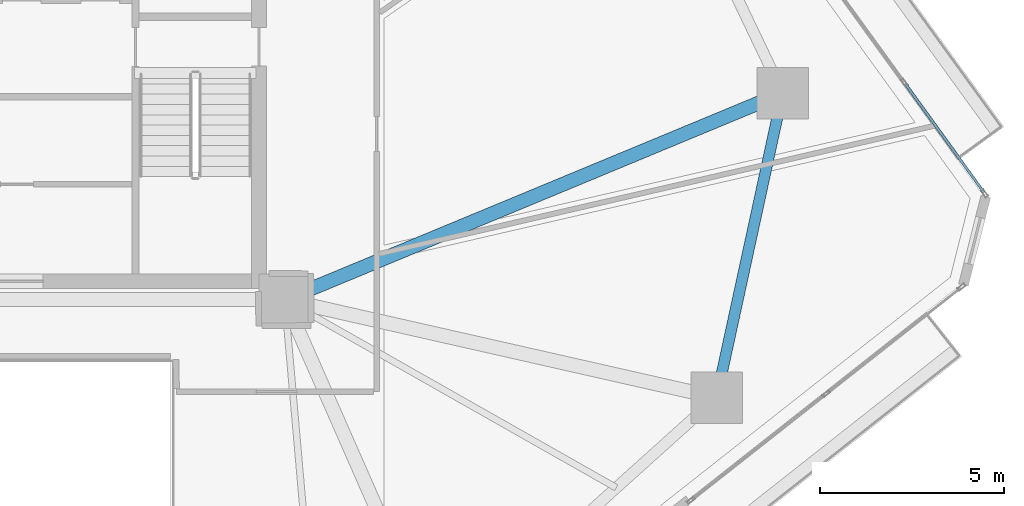
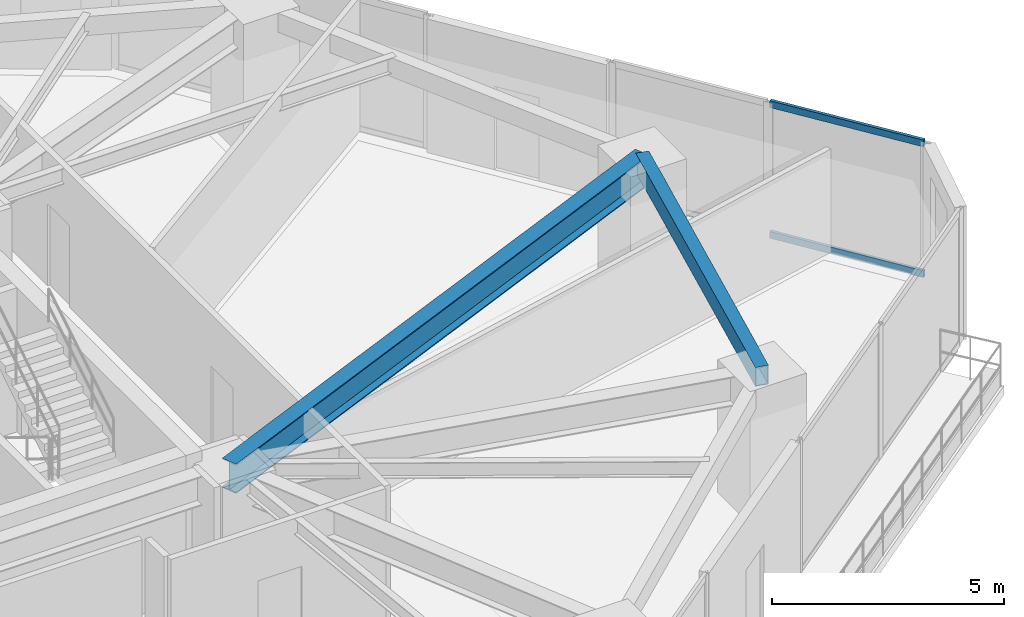
# One storey, part 11 of 24: 2 beams, 2 members, 1 element without a shape of its own.
"""IFC4 building model written with IfcOpenShell, lengths in metres."""

import ifcopenshell
import ifcopenshell.guid

model = None  # the IFC model being written
_history = None  # IfcOwnerHistory: only IFC2X3 demands one
_inside = {}  # id of a spatial element -> (the spatial element, [elements in it])
_under = {}  # id of a project, library or spatial element -> (it, [spatial elements below it])
_declared = {}  # id of a project -> (the project, [libraries it declares])
_typed = {}  # id of a type object -> (the type object, [elements of that type])
_made_of = {}  # id of a material, layer set ... -> (it, [elements and type objects made of it])


def new_model(schema):
    """Start an empty IFC model of exactly this schema.

    Asked for "IFC4X3", IfcOpenShell would pick the latest addendum, in which some entities
    have other attributes; the version numbers below select the first issue.
    IFC2X3 requires an IfcOwnerHistory on every rooted entity: one is made here for all.
    """
    global model, _history
    if schema == "IFC4X3":
        model = ifcopenshell.file(schema_version=(4, 3, 0, 0))
    else:
        model = ifcopenshell.file(schema=schema)
    _inside.clear()
    _under.clear()
    _declared.clear()
    _typed.clear()
    _made_of.clear()
    _history = None
    if model.schema == "IFC2X3":
        org = make("IfcOrganization", Name="unknown")
        user = make(
            "IfcPersonAndOrganization",
            ThePerson=make("IfcPerson", FamilyName="unknown"),
            TheOrganization=org,
        )
        app = make(
            "IfcApplication",
            ApplicationDeveloper=org,
            Version="unknown",
            ApplicationFullName="unknown",
            ApplicationIdentifier="unknown",
        )
        _history = make(
            "IfcOwnerHistory",
            OwningUser=user,
            OwningApplication=app,
            ChangeAction="ADDED",
            CreationDate=0,
        )
    return model


def make(cls, **values):
    """One entity of the class cls with the attributes given. An attribute that is None is left unset."""
    return model.create_entity(
        cls, **{name: value for name, value in values.items() if value is not None}
    )


def rooted(cls, **values):
    """An entity with a GlobalId (a new one), such as an element, a storey or a relation."""
    return make(cls, GlobalId=ifcopenshell.guid.new(), OwnerHistory=_history, **values)


def si_unit(unit_type, name, prefix=None):
    """IfcSIUnit, for example si_unit("LENGTHUNIT", "METRE", prefix="MILLI")."""
    return make("IfcSIUnit", UnitType=unit_type, Prefix=prefix, Name=name)


def assignment(units):
    """IfcUnitAssignment: the units of a project."""
    return None if units is None else make("IfcUnitAssignment", Units=units)


def point(xyz):
    """IfcCartesianPoint."""
    return None if xyz is None else make("IfcCartesianPoint", Coordinates=xyz)


def direction(xyz):
    """IfcDirection."""
    return None if xyz is None else make("IfcDirection", DirectionRatios=xyz)


def frame(location, z_axis=None, x_axis=None):
    """IfcAxis2Placement3D, a coordinate frame: its origin and axes. An axis left out is left unset."""
    return make(
        "IfcAxis2Placement3D",
        Location=point(location),
        Axis=direction(z_axis),
        RefDirection=direction(x_axis),
    )


def frame_2d(location, x_axis=None):
    """IfcAxis2Placement2D, a coordinate frame in the plane: its origin and x axis."""
    return make(
        "IfcAxis2Placement2D", Location=point(location), RefDirection=direction(x_axis)
    )


def origin():
    """The frame at (0, 0, 0) with its axes left unset."""
    return frame((0.0, 0.0, 0.0))


def origin_2d():
    """The frame at (0, 0) in the plane with its x axis left unset."""
    return frame_2d((0.0, 0.0))


def place(relative_to, where):
    """IfcLocalPlacement: puts the frame where relative to a parent placement (None: the world)."""
    return make(
        "IfcLocalPlacement", PlacementRelTo=relative_to, RelativePlacement=where
    )


def context(
    kind, dimensions, precision=None, world=None, true_north=None, identifier=None
):
    """IfcGeometricRepresentationContext, for example the 3D "Model" context."""
    return make(
        "IfcGeometricRepresentationContext",
        ContextIdentifier=identifier,
        ContextType=kind,
        CoordinateSpaceDimension=dimensions,
        Precision=precision,
        WorldCoordinateSystem=world,
        TrueNorth=true_north,
    )


def subcontext(parent, identifier, kind, view, scale=None):
    """IfcGeometricRepresentationSubContext, for example "Body" below "Model"."""
    return make(
        "IfcGeometricRepresentationSubContext",
        ContextIdentifier=identifier,
        ContextType=kind,
        ParentContext=parent,
        TargetScale=scale,
        TargetView=view,
    )


def project(units=None, contexts=None):
    """IfcProject with its units and contexts."""
    return rooted(
        "IfcProject",
        Name="project",
        RepresentationContexts=contexts,
        UnitsInContext=assignment(units),
    )


def spatial(cls, under=None, at=None, **own):
    """A site, building, storey or space (cls), placed at a placement, below another one or the project."""
    s = rooted(cls, ObjectPlacement=at, **own)
    if under is not None:
        _under.setdefault(under.id(), (under, []))[1].append(s)
    return s


def profile(cls, at=None, kind="AREA", **sizes):
    """A parametric profile (cls). Its sizes go by their IFC names, for example OverallWidth=200.0."""
    return make(cls, ProfileType=kind, Position=at, **sizes)


def hollow_rectangle(**sizes):
    """IfcRectangleHollowProfileDef."""
    return profile("IfcRectangleHollowProfileDef", **sizes)


def i_section(**sizes):
    """IfcIShapeProfileDef."""
    return profile("IfcIShapeProfileDef", **sizes)


def extrude(swept, where, along, depth):
    """IfcExtrudedAreaSolid: the profile swept, set in the frame where, extruded along a direction by depth."""
    return make(
        "IfcExtrudedAreaSolid",
        SweptArea=swept,
        Position=where,
        ExtrudedDirection=direction(along),
        Depth=depth,
    )


def shape(context_of_items, identifier, shape_type, items):
    """IfcShapeRepresentation: the items that make up one representation, for example the "Body"."""
    return make(
        "IfcShapeRepresentation",
        ContextOfItems=context_of_items,
        RepresentationIdentifier=identifier,
        RepresentationType=shape_type,
        Items=items,
    )


def source(mapping_origin, context_of_items, identifier, shape_type, items):
    """IfcRepresentationMap: a shape defined once, which mapped items show again and again."""
    return make(
        "IfcRepresentationMap",
        MappingOrigin=mapping_origin,
        MappedRepresentation=shape(context_of_items, identifier, shape_type, items),
    )


def transform(
    local_origin,
    x_axis=None,
    y_axis=None,
    z_axis=None,
    scale=None,
    scale2=None,
    scale3=None,
    uniform=True,
):
    """IfcCartesianTransformationOperator3D, or its non-uniform kind. x_axis, y_axis, z_axis: its Axis1, 2, 3."""
    if uniform:
        return make(
            "IfcCartesianTransformationOperator3D",
            Axis1=direction(x_axis),
            Axis2=direction(y_axis),
            LocalOrigin=point(local_origin),
            Scale=scale,
            Axis3=direction(z_axis),
        )
    return make(
        "IfcCartesianTransformationOperator3DnonUniform",
        Axis1=direction(x_axis),
        Axis2=direction(y_axis),
        LocalOrigin=point(local_origin),
        Scale=scale,
        Axis3=direction(z_axis),
        Scale2=scale2,
        Scale3=scale3,
    )


def mapped(mapping_source, mapping_target):
    """IfcMappedItem: shows the shape of a source again, moved by a transform."""
    return make(
        "IfcMappedItem", MappingSource=mapping_source, MappingTarget=mapping_target
    )


def material(Name=None, Category=None):
    """IfcMaterial."""
    return make("IfcMaterial", Name=Name, Category=Category)


def layer(
    of_material, thickness, ventilated=None, Name=None, Category=None, Priority=None
):
    """IfcMaterialLayer: one layer of a wall or slab, of a material (None: an air gap)."""
    return make(
        "IfcMaterialLayer",
        Material=of_material,
        LayerThickness=thickness,
        IsVentilated=ventilated,
        Name=Name,
        Category=Category,
        Priority=Priority,
    )


def layer_set(layers, Name=None):
    """IfcMaterialLayerSet."""
    return make("IfcMaterialLayerSet", MaterialLayers=layers, LayerSetName=Name)


def material_profile(
    of_material, cross_section, Name=None, Category=None, Priority=None
):
    """IfcMaterialProfile: a cross section and its material."""
    return make(
        "IfcMaterialProfile",
        Name=Name,
        Material=of_material,
        Profile=cross_section,
        Priority=Priority,
        Category=Category,
    )


def profile_set(profiles, Name=None, composite=None):
    """IfcMaterialProfileSet."""
    return make(
        "IfcMaterialProfileSet",
        Name=Name,
        MaterialProfiles=profiles,
        CompositeProfile=composite,
    )


def made_of(thing, what):
    """Note that an element or type object is made of a material, layer set ...; save() writes the relation."""
    if what is not None:
        _made_of.setdefault(what.id(), (what, []))[1].append(thing)
    return thing


def type_object(cls, material=None, **own):
    """A type object (cls), such as IfcWallType, which elements share."""
    return made_of(rooted(cls, **own), material)


def type_shapes(of_type, sources):
    """Give a type object the sources (RepresentationMaps) that its elements show as mapped items."""
    of_type.RepresentationMaps = sources


def element(
    cls,
    number,
    at=None,
    inside=None,
    cuts=None,
    type_object=None,
    material=None,
    context=None,
    identifier="Body",
    shape_type=None,
    held_by="IfcProductDefinitionShape",
    body=None,
    shapes=None,
    **own,
):
    """One element of the class cls, such as IfcWall. Its Tag is "e" and its number.

    at: its placement. inside: the storey or other place that contains it. cuts: it is an
    opening in that element (IfcRelVoidsElement). A single representation is given by context,
    identifier, shape_type and body (its items); several are given by shapes. held_by: the class
    of the entity that holds the representations. save() writes the other relations.
    """
    e = rooted(cls, Tag="e%d" % number, ObjectPlacement=at, **own)
    if body is not None:
        shapes = [shape(context, identifier, shape_type, body)]
    if shapes is not None:
        e.Representation = make(held_by, Representations=shapes)
    if inside is not None:
        _inside.setdefault(inside.id(), (inside, []))[1].append(e)
    if cuts is not None:
        rooted(
            "IfcRelVoidsElement", RelatingBuildingElement=cuts, RelatedOpeningElement=e
        )
    if type_object is not None:
        _typed.setdefault(type_object.id(), (type_object, []))[1].append(e)
    return made_of(e, material)


def aggregate(whole, parts):
    """IfcRelAggregates: a whole, such as a stair, and the parts it consists of."""
    return rooted("IfcRelAggregates", RelatingObject=whole, RelatedObjects=parts)


def save(model, path):
    """Write the relations noted so far, then the file.

    IfcRelAggregates (storeys below a building ...), IfcRelContainedInSpatialStructure (elements
    in a storey), IfcRelDefinesByType, IfcRelAssociatesMaterial and IfcRelDeclares: one each for
    every whole, place, type object, material and project.
    """
    for whole, parts in _under.values():
        aggregate(whole, parts)
    for where, things in _inside.values():
        rooted(
            "IfcRelContainedInSpatialStructure",
            RelatedElements=things,
            RelatingStructure=where,
        )
    for kind, things in _typed.values():
        rooted("IfcRelDefinesByType", RelatedObjects=things, RelatingType=kind)
    for what, things in _made_of.values():
        rooted("IfcRelAssociatesMaterial", RelatedObjects=things, RelatingMaterial=what)
    for by, libraries in _declared.values():
        rooted("IfcRelDeclares", RelatingContext=by, RelatedDefinitions=libraries)
    model.write(path)


model = new_model("IFC4")

# Units and contexts
model_context = context("Model", 3, precision=1e-05, world=origin(), true_north=direction((0.0, 1.0)))
body_context = subcontext(model_context, "Body", "Model", "MODEL_VIEW")
ifc_project = project(units=[si_unit("LENGTHUNIT", "METRE"), si_unit("AREAUNIT", "SQUARE_METRE"), si_unit("VOLUMEUNIT", "CUBIC_METRE"), si_unit("PLANEANGLEUNIT", "RADIAN"), si_unit("MASSUNIT", "GRAM", prefix="KILO")], contexts=[model_context])

# Site, building, storey
site_placement = place(None, origin())
site = spatial("IfcSite", under=ifc_project, at=site_placement, CompositionType="ELEMENT")
building_placement = place(site_placement, origin())
building = spatial("IfcBuilding", under=site, at=building_placement, Name="Talar Marvaseh", CompositionType="ELEMENT")
storey_placement = place(building_placement, frame((0.0, 0.0, 73.39990234375)))
storey = spatial("IfcBuildingStorey", under=building, at=storey_placement, Name="L18", CompositionType="ELEMENT", Elevation=73.39990234375)

# Beams
ifc_material_1 = material(Name="Steel S355", Category="steel")
ifc_material_profile_1 = material_profile(ifc_material_1, hollow_rectangle(XDim=0.300048828125, YDim=0.5, WallThickness=0.02001953125, at=origin_2d()), Name="RHS500x300x20")
ifc_profile_set_1 = profile_set([ifc_material_profile_1], Name="Steel S355")
beam_type_1 = type_object("IfcBeamType", Name="Zone 1 Perimeter Spandrel Beam RHS500x300x20", PredefinedType="SPANDREL", material=ifc_profile_set_1)
beam_1_placement = place(storey_placement, frame((46.841064453125, 31.118896484375, 3.27001953125), z_axis=(-0.212134113363, -0.977240562987, 0.0), x_axis=(0.977240562987, -0.212134113363, 0.0)))
element("IfcBeam", 1, at=beam_1_placement, inside=storey, type_object=beam_type_1, Name="L18 Zone 1 Perimeter Spandrel Beam RHS500x300x20", PredefinedType="SPANDREL", context=body_context, shape_type="SweptSolid", body=[
    extrude(hollow_rectangle(XDim=0.300048828125, YDim=0.5, WallThickness=0.02001953125, at=origin_2d()), origin(), (0.0, 0.0, 1.0), 8.4716796875),
])
ifc_material_profile_2 = material_profile(ifc_material_1, i_section(OverallWidth=0.381103515625, OverallDepth=0.77294921875, WebThickness=0.0166015625, FlangeThickness=0.027099609375, at=origin_2d()), Name="W760x257")
ifc_profile_set_2 = profile_set([ifc_material_profile_2], Name="Steel S355")
beam_type_2 = type_object("IfcBeamType", Name="Zone 1 Radial Floor Girder W760x257", PredefinedType="BEAM", material=ifc_profile_set_2)
beam_2_placement = place(storey_placement, frame((46.841064453125, 31.118896484375, 3.133544921875), z_axis=(-0.923637605375, -0.383266974753, 0.0), x_axis=(0.383266974753, -0.923637605375, 0.0)))
element("IfcBeam", 2, at=beam_2_placement, inside=storey, type_object=beam_type_2, Name="L18 Zone 1 Radial Floor Girder W760x257", PredefinedType="BEAM", context=body_context, shape_type="SweptSolid", body=[
    extrude(i_section(OverallWidth=0.381103515625, OverallDepth=0.77294921875, WebThickness=0.0166015625, FlangeThickness=0.027099609375, at=origin_2d()), origin(), (0.0, 0.0, 1.0), 14.66064453125),
])

# Curtain wall, members
ifc_material_2 = material(Name="Architectural Aluminium", Category="aluminium")
ifc_layer = layer(ifc_material_2, 0.219970703125)
ifc_layer_set = layer_set([ifc_layer], Name="Architectural Aluminium")
curtain_wall_type = type_object("IfcCurtainWallType", Name="Unitised Low-E Museum Curtain Wall Z1", PredefinedType="NOTDEFINED", material=ifc_layer_set)
curtain_wall_placement = place(storey_placement, origin())
curtain_wall = element("IfcCurtainWall", 3, at=curtain_wall_placement, inside=storey, type_object=curtain_wall_type, Name="L18 Unitised Low-E Museum Curtain Wall Z1", PredefinedType="NOTDEFINED")
ifc_material_profile_3 = material_profile(ifc_material_2, hollow_rectangle(XDim=0.074951171875, YDim=0.179931640625, WallThickness=0.0048828125, at=origin_2d()), Name="RHS180x75x5")
ifc_profile_set_3 = profile_set([ifc_material_profile_3], Name="Architectural Aluminium")
member_type = type_object("IfcMemberType", Name="Unitised Curtain Wall Transom RHS180x75x5", PredefinedType="USERDEFINED", material=ifc_profile_set_3)
shared_shape = source(origin(), body_context, "Body", "SweptSolid", [
    extrude(hollow_rectangle(XDim=0.074951171875, YDim=0.179931640625, WallThickness=0.0048828125, at=origin_2d()), origin(), (0.0, 0.0, 1.0), 3.636962890625),
])
type_shapes(member_type, [shared_shape])
member_1_placement = place(storey_placement, frame((50.1796875, 31.369384765625, 0.03759765625), z_axis=(0.586414145427, -0.810011388835, 0.0), x_axis=(0.810011388835, 0.586414145427, 0.0)))
member_1 = element("IfcMember", 4, at=member_1_placement, type_object=member_type, Name="CW-Z1 transom 2.1", ObjectType="TRANSOM", PredefinedType="USERDEFINED", context=body_context, shape_type="MappedRepresentation", body=[
    mapped(shared_shape, transform((0.0, 0.0, 0.0), x_axis=(1.0, 0.0, 0.0), y_axis=(0.0, 1.0, 0.0), z_axis=(0.0, 0.0, 1.0), scale=1.0)),
])
member_2_placement = place(storey_placement, frame((50.1796875, 31.369384765625, 3.482666015625), z_axis=(0.586414145427, -0.810011388835, 0.0), x_axis=(0.810011388835, 0.586414145427, 0.0)))
member_2 = element("IfcMember", 5, at=member_2_placement, type_object=member_type, Name="CW-Z1 transom 2.2", ObjectType="TRANSOM", PredefinedType="USERDEFINED", context=body_context, shape_type="MappedRepresentation", body=[
    mapped(shared_shape, transform((0.0, 0.0, 0.0), x_axis=(1.0, 0.0, 0.0), y_axis=(0.0, 1.0, 0.0), z_axis=(0.0, 0.0, 1.0), scale=1.0)),
])
aggregate(curtain_wall, [member_1, member_2])

save(model, "model.ifc")
